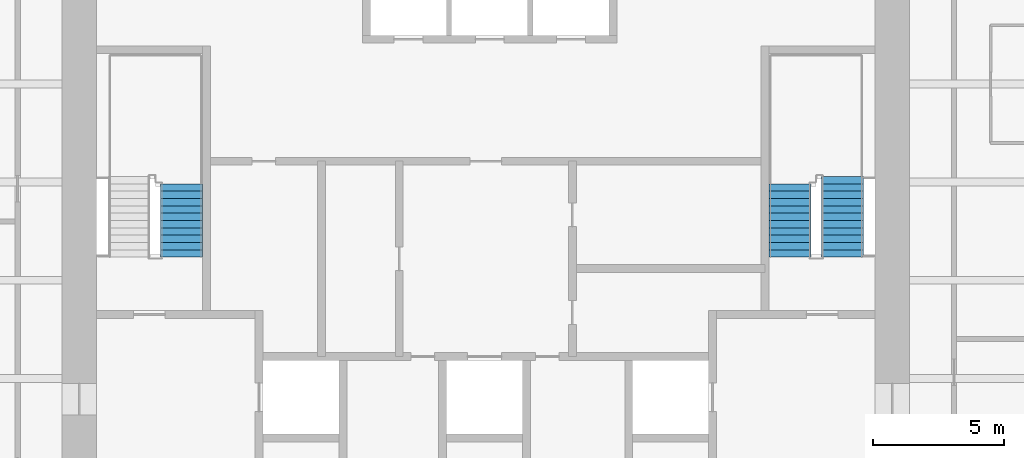
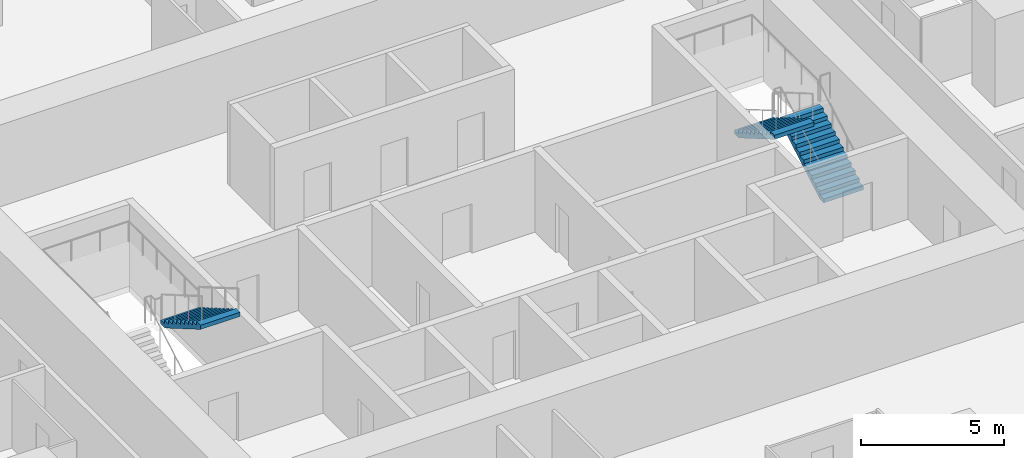
# One storey, part 11 of 12: 3 stair flights, 2 elements without a shape of their own.
"""IFC4 building model written with IfcOpenShell, lengths in metres."""

from ifc_helpers import new_model, si_unit, direction, frame, origin, place, context, subcontext, project, spatial, polyline, outline, extrude, material, type_object, element, aggregate, save


model = new_model("IFC4")

# Units and contexts
model_context = context("Model", 3, precision=1e-05, world=origin(), true_north=direction((0.0, 1.0)))
body_context = subcontext(model_context, "Body", "Model", "MODEL_VIEW")
ifc_project = project(units=[si_unit("LENGTHUNIT", "METRE"), si_unit("AREAUNIT", "SQUARE_METRE"), si_unit("VOLUMEUNIT", "CUBIC_METRE"), si_unit("PLANEANGLEUNIT", "RADIAN"), si_unit("MASSUNIT", "GRAM", prefix="KILO")], contexts=[model_context])

# Site, building, storey
site_placement = place(None, origin())
site = spatial("IfcSite", under=ifc_project, at=site_placement, CompositionType="ELEMENT")
building_placement = place(site_placement, origin())
building = spatial("IfcBuilding", under=site, at=building_placement, Name="Khuree Lantern Residences", CompositionType="ELEMENT")
storey_placement = place(building_placement, frame((0.0, 0.0, 334.5)))
storey = spatial("IfcBuildingStorey", under=building, at=storey_placement, Name="L84", CompositionType="ELEMENT", Elevation=334.5)

# Stair, stair flight
ifc_material = material(Name="Concrete C40/50", Category="concrete")
stair_type = type_object("IfcStairType", Name="STAIR ST1 HALF TURN 3600", PredefinedType="HALF_TURN_STAIR", material=ifc_material)
stair_1_placement = place(storey_placement, origin())
stair_1 = element("IfcStair", 1, at=stair_1_placement, inside=storey, type_object=stair_type, Name="Stair ST1", PredefinedType="HALF_TURN_STAIR")
stair_flight_type = type_object("IfcStairFlightType", Name="STAIR FLIGHT SF1 1600", PredefinedType="STRAIGHT", material=ifc_material)
stair_flight_1_placement = place(storey_placement, frame((-11.60009765625, -0.06005859375, 1.95654296875), z_axis=(0.0, 0.0, 1.0), x_axis=(0.0, -1.0, 0.0)))
stair_flight_1 = element("IfcStairFlight", 2, at=stair_flight_1_placement, type_object=stair_flight_type, Name="ST1 flight 2", NumberOfRisers=11, NumberOfTreads=10, PredefinedType="STRAIGHT", RiserHeight=0.163043478, TreadLength=0.28, context=body_context, shape_type="SweptSolid", body=[
    extrude(outline(polyline([(0.0, 0.0), (0.0, 0.1630859375), (0.280029296875, 0.1630859375), (0.280029296875, 0.326171875), (0.56005859375, 0.326171875), (0.56005859375, 0.489013671875), (0.840087890625, 0.489013671875), (0.840087890625, 0.652099609375), (1.1201171875, 0.652099609375), (1.1201171875, 0.815185546875), (1.39990234375, 0.815185546875), (1.39990234375, 0.978271484375), (1.679931640625, 0.978271484375), (1.679931640625, 1.141357421875), (1.9599609375, 1.141357421875), (1.9599609375, 1.304443359375), (2.239990234375, 1.304443359375), (2.239990234375, 1.46728515625), (2.52001953125, 1.46728515625), (2.52001953125, 1.63037109375), (2.800048828125, 1.63037109375), (2.800048828125, 1.79345703125), (2.800048828125, 1.45703125), (0.2978515625, 0.0), (0.0, 0.0)])), frame((0.0, 0.800048828125, 0.0), z_axis=(0.0, -1.0, 0.0), x_axis=(1.0, 0.0, 0.0)), (0.0, 0.0, 1.0), 1.60009765625),
])
aggregate(stair_1, [stair_flight_1])

# Stair, stair flights
stair_2_placement = place(storey_placement, origin())
stair_2 = element("IfcStair", 3, at=stair_2_placement, inside=storey, type_object=stair_type, Name="Stair ST2", PredefinedType="HALF_TURN_STAIR")
stair_flight_2_placement = place(storey_placement, frame((13.60009765625, -2.860107421875, 0.0), z_axis=(0.0, 0.0, 1.0), x_axis=(0.0, 1.0, 0.0)))
stair_flight_2 = element("IfcStairFlight", 4, at=stair_flight_2_placement, type_object=stair_flight_type, Name="ST2 flight 1", NumberOfRisers=12, NumberOfTreads=11, PredefinedType="STRAIGHT", RiserHeight=0.163043478, TreadLength=0.28, context=body_context, shape_type="SweptSolid", body=[
    extrude(outline(polyline([(0.0, 0.0), (0.0, 0.1630859375), (0.280029296875, 0.1630859375), (0.280029296875, 0.326171875), (0.56005859375, 0.326171875), (0.56005859375, 0.489013671875), (0.840087890625, 0.489013671875), (0.840087890625, 0.652099609375), (1.1201171875, 0.652099609375), (1.1201171875, 0.815185546875), (1.39990234375, 0.815185546875), (1.39990234375, 0.978271484375), (1.679931640625, 0.978271484375), (1.679931640625, 1.141357421875), (1.9599609375, 1.141357421875), (1.9599609375, 1.304443359375), (2.239990234375, 1.304443359375), (2.239990234375, 1.46728515625), (2.52001953125, 1.46728515625), (2.52001953125, 1.63037109375), (2.800048828125, 1.63037109375), (2.800048828125, 1.79345703125), (3.080078125, 1.79345703125), (3.080078125, 1.95654296875), (3.080078125, 1.6201171875), (0.2978515625, 0.0), (0.0, 0.0)])), frame((0.0, 0.800048828125, 0.0), z_axis=(0.0, -1.0, 0.0), x_axis=(1.0, 0.0, 0.0)), (0.0, 0.0, 1.0), 1.60009765625),
])
stair_flight_3_placement = place(storey_placement, frame((11.60009765625, -0.06005859375, 1.95654296875), z_axis=(0.0, 0.0, 1.0), x_axis=(0.0, -1.0, 0.0)))
stair_flight_3 = element("IfcStairFlight", 5, at=stair_flight_3_placement, type_object=stair_flight_type, Name="ST2 flight 2", NumberOfRisers=11, NumberOfTreads=10, PredefinedType="STRAIGHT", RiserHeight=0.163043478, TreadLength=0.28, context=body_context, shape_type="SweptSolid", body=[
    extrude(outline(polyline([(0.0, 0.0), (0.0, 0.1630859375), (0.280029296875, 0.1630859375), (0.280029296875, 0.326171875), (0.56005859375, 0.326171875), (0.56005859375, 0.489013671875), (0.840087890625, 0.489013671875), (0.840087890625, 0.652099609375), (1.1201171875, 0.652099609375), (1.1201171875, 0.815185546875), (1.39990234375, 0.815185546875), (1.39990234375, 0.978271484375), (1.679931640625, 0.978271484375), (1.679931640625, 1.141357421875), (1.9599609375, 1.141357421875), (1.9599609375, 1.304443359375), (2.239990234375, 1.304443359375), (2.239990234375, 1.46728515625), (2.52001953125, 1.46728515625), (2.52001953125, 1.63037109375), (2.800048828125, 1.63037109375), (2.800048828125, 1.79345703125), (2.800048828125, 1.45703125), (0.2978515625, 0.0), (0.0, 0.0)])), frame((0.0, 0.800048828125, 0.0), z_axis=(0.0, -1.0, 0.0), x_axis=(1.0, 0.0, 0.0)), (0.0, 0.0, 1.0), 1.60009765625),
])
aggregate(stair_2, [stair_flight_2, stair_flight_3])

save(model, "model.ifc")
